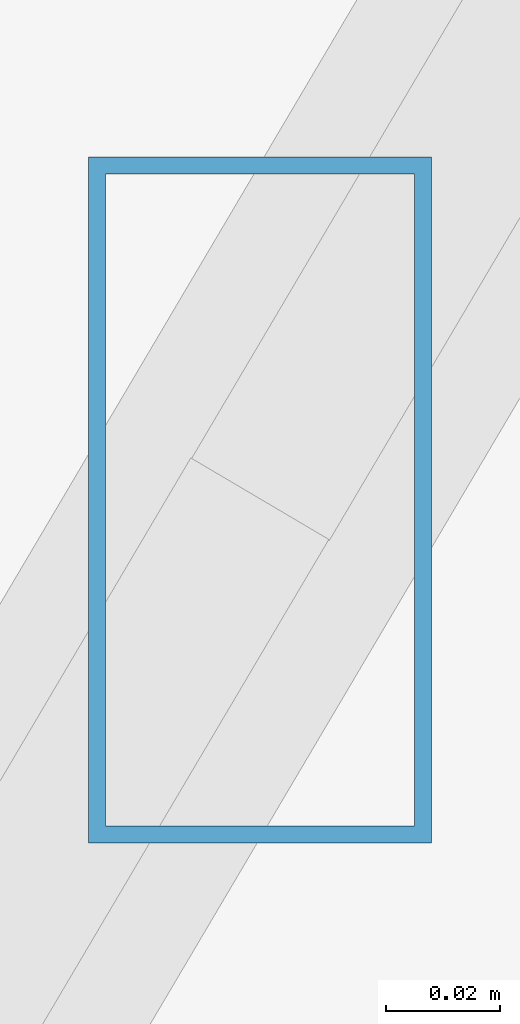
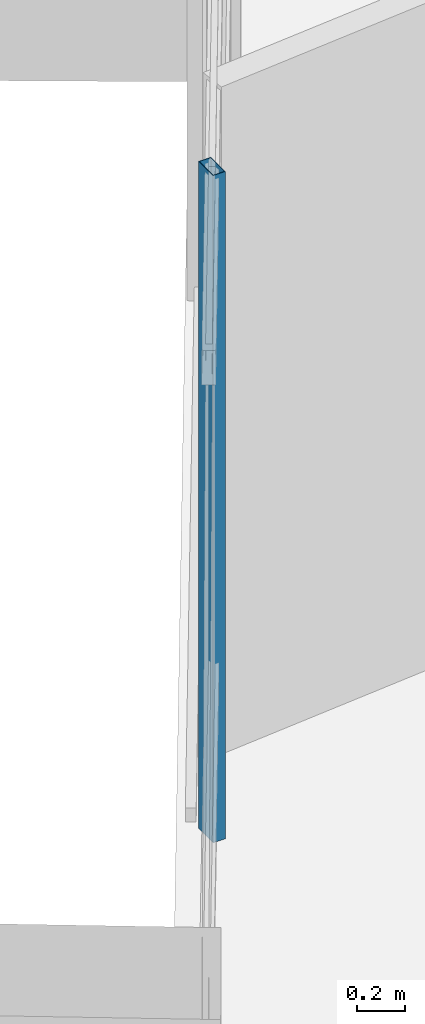
# One storey, part 9 of 44: 1 member, 1 element without a shape of its own.
"""IFC4 building model written with IfcOpenShell, lengths in metres."""

from ifc_helpers import new_model, si_unit, direction, frame, origin, origin_2d, place, context, subcontext, project, spatial, hollow_rectangle, extrude, source, transform, mapped, material, material_profile, profile_set, type_object, type_shapes, element, aggregate, save


model = new_model("IFC4")

# Units and contexts
model_context = context("Model", 3, precision=1e-05, world=origin(), true_north=direction((0.0, 1.0)))
body_context = subcontext(model_context, "Body", "Model", "MODEL_VIEW")
ifc_project = project(units=[si_unit("LENGTHUNIT", "METRE"), si_unit("AREAUNIT", "SQUARE_METRE"), si_unit("VOLUMEUNIT", "CUBIC_METRE"), si_unit("PLANEANGLEUNIT", "RADIAN"), si_unit("MASSUNIT", "GRAM", prefix="KILO")], contexts=[model_context])

# Site, building, storey
site_placement = place(None, origin())
site = spatial("IfcSite", under=ifc_project, at=site_placement, CompositionType="ELEMENT")
building_placement = place(site_placement, origin())
building = spatial("IfcBuilding", under=site, at=building_placement, Name="Caelisora Broadcast Tower", CompositionType="ELEMENT")
storey_placement = place(building_placement, frame((0.0, 0.0, 259.050048828125)))
storey = spatial("IfcBuildingStorey", under=building, at=storey_placement, Name="L68", CompositionType="ELEMENT", Elevation=259.050048828125)

# Curtain wall, member
ifc_material_1 = material(Name="Unitised Aluminium and Low-E Glass Curtain Wall", Category="glass")
curtain_wall_type = type_object("IfcCurtainWallType", Name="CW-Z5", PredefinedType="NOTDEFINED", material=ifc_material_1)
curtain_wall_placement = place(storey_placement, origin())
curtain_wall = element("IfcCurtainWall", 1, at=curtain_wall_placement, inside=storey, type_object=curtain_wall_type, Name="L68 curtain wall CW-Z5", PredefinedType="NOTDEFINED")
ifc_material_2 = material(Name="Aluminium 6063-T6 Anodised Terracotta Bronze", Category="aluminium")
ifc_material_profile = material_profile(ifc_material_2, hollow_rectangle(XDim=0.06005859375, YDim=0.1201171875, WallThickness=0.0029296875, at=origin_2d()), Name="Aluminium 6063-T6 Anodised Terracotta Bronze")
ifc_profile_set = profile_set([ifc_material_profile], Name="Aluminium 6063-T6 Anodised Terracotta Bronze")
member_type = type_object("IfcMemberType", Name="CWM-04", PredefinedType="MULLION", material=ifc_profile_set)
shared_shape = source(origin(), body_context, "Body", "SweptSolid", [
    extrude(hollow_rectangle(XDim=0.06005859375, YDim=0.1201171875, WallThickness=0.0029296875, at=origin_2d()), origin(), (0.0, 0.0, 1.0), 3.39990234375),
])
type_shapes(member_type, [shared_shape])
member_placement = place(storey_placement, frame((17.913330078125, 21.52685546875, 0.0), z_axis=(0.0, 0.0, 1.0), x_axis=(1.0, 0.0, 0.0)))
member = element("IfcMember", 2, at=member_placement, type_object=member_type, Name="L68-CW-B09 mullion #2", PredefinedType="MULLION", context=body_context, shape_type="MappedRepresentation", body=[
    mapped(shared_shape, transform((0.0, 0.0, 0.0), scale=1.0)),
])
aggregate(curtain_wall, [member])

save(model, "model.ifc")
